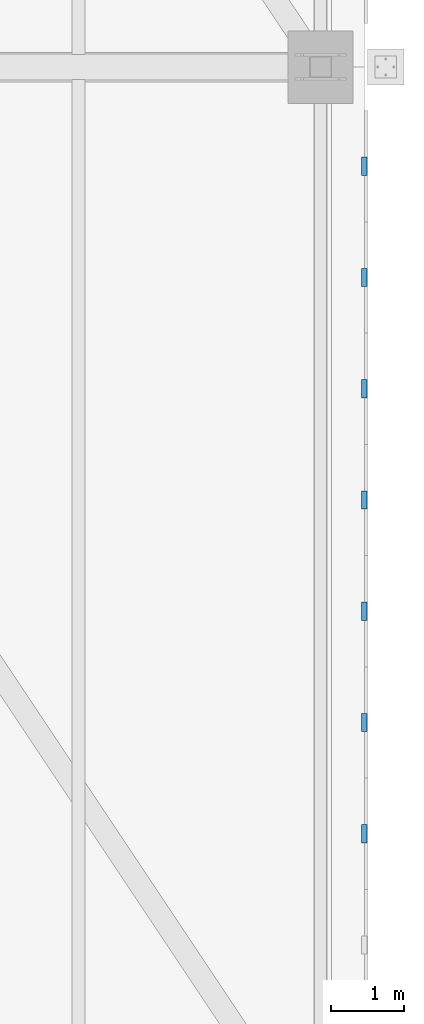
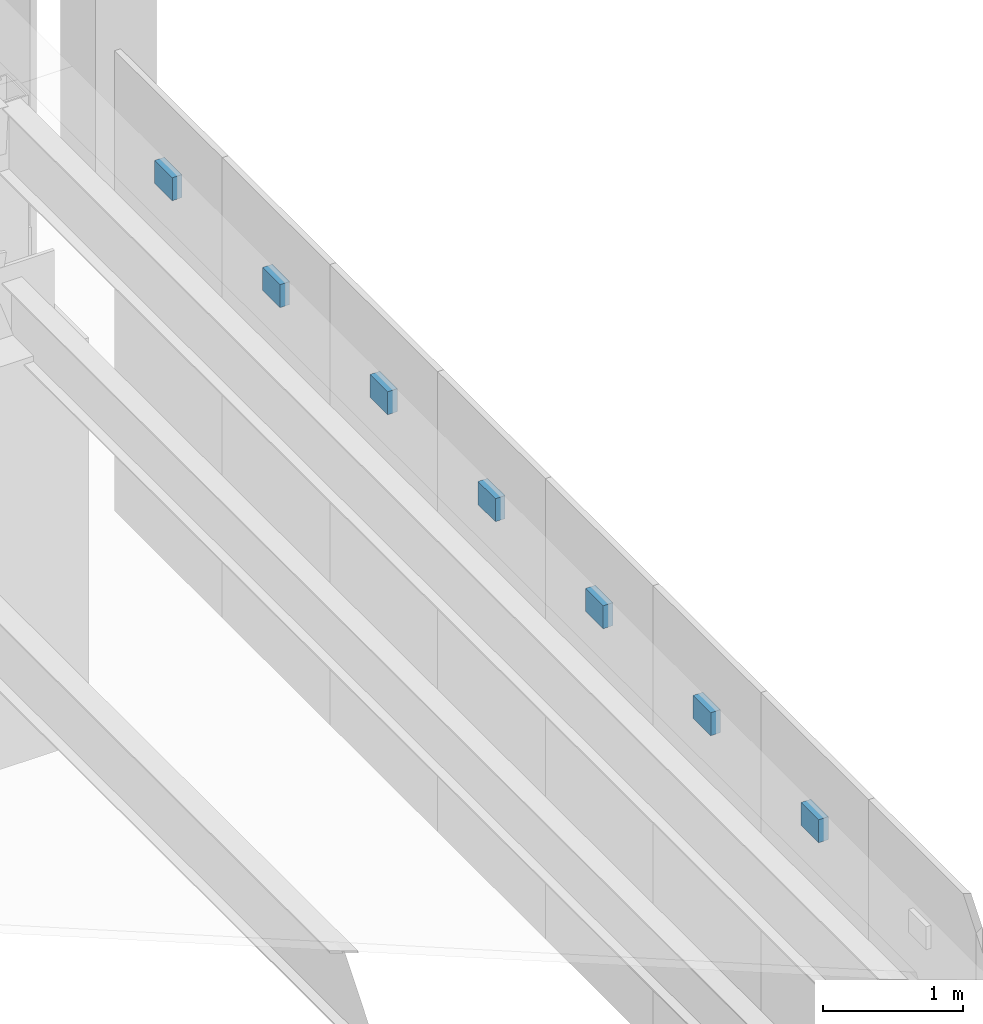
# One storey, part 206 of 278: 7 discrete accessories.
"""IFC4 building model written with IfcOpenShell, lengths in metres."""

from ifc_helpers import new_model, si_unit, direction, frame, origin, origin_2d, place, context, subcontext, project, spatial, rectangle, extrude, material, layer, layer_set, type_object, element, save


model = new_model("IFC4")

# Units and contexts
model_context = context("Model", 3, precision=1e-05, world=origin(), true_north=direction((0.0, 1.0)))
body_context = subcontext(model_context, "Body", "Model", "MODEL_VIEW")
ifc_project = project(units=[si_unit("LENGTHUNIT", "METRE"), si_unit("AREAUNIT", "SQUARE_METRE"), si_unit("VOLUMEUNIT", "CUBIC_METRE"), si_unit("PLANEANGLEUNIT", "RADIAN"), si_unit("MASSUNIT", "GRAM", prefix="KILO")], contexts=[model_context])

# Site, building, storey
site_placement = place(None, origin())
site = spatial("IfcSite", under=ifc_project, at=site_placement, CompositionType="ELEMENT")
building_placement = place(site_placement, origin())
building = spatial("IfcBuilding", under=site, at=building_placement, Name="Ogive Plaza Stadium", CompositionType="ELEMENT")
storey_placement = place(building_placement, frame((0.0, 0.0, 29.0)))
storey = spatial("IfcBuildingStorey", under=building, at=storey_placement, Name="Roof", CompositionType="ELEMENT", Elevation=29.0)

# Discrete accessories
ifc_material = material(Name="Steel ASTM A572 Grade 50", Category="steel")
ifc_layer = layer(ifc_material, 0.080078125)
ifc_layer_set = layer_set([ifc_layer], Name="Steel ASTM A572 Grade 50")
discrete_accessory_type = type_object("IfcDiscreteAccessoryType", Name="Tracery screen bracket 250x200", PredefinedType="BRACKET", material=ifc_layer_set)
for number, where, z_axis, x_axis, name in (
    (1, (84.602294921875, 21.13330078125, 5.25), (0.0, 0.0, 1.0), (0.0, -1.0, 0.0), "TRACERY SCREEN BRACKET B03 1"),
    (2, (84.602294921875, 19.60009765625, 5.25), (0.0, 0.0, 1.0), (0.0, -1.0, 0.0), "TRACERY SCREEN BRACKET B03 2"),
    (3, (84.602294921875, 18.066650390625, 5.25), (0.0, 0.0, 1.0), (0.0, -1.0, 0.0), "TRACERY SCREEN BRACKET B03 3"),
    (4, (84.602294921875, 16.533203125, 5.25), (0.0, 0.0, 1.0), (0.0, -1.0, 0.0), "TRACERY SCREEN BRACKET B03 4"),
    (5, (84.602294921875, 15.0, 5.25), (0.0, 0.0, 1.0), (0.0, -1.0, 0.0), "TRACERY SCREEN BRACKET B03 5"),
    (6, (84.602294921875, 13.466796875, 5.25), (0.0, 0.0, 1.0), (0.0, -1.0, 0.0), "TRACERY SCREEN BRACKET B03 6"),
    (7, (84.602294921875, 11.933349609375, 5.25), (0.0, 0.0, 1.0), (0.0, -1.0, 0.0), "TRACERY SCREEN BRACKET B03 7"),
):
    element("IfcDiscreteAccessory", number, at=place(storey_placement, frame(where, z_axis=z_axis, x_axis=x_axis)), inside=storey, type_object=discrete_accessory_type, Name=name, PredefinedType="BRACKET", context=body_context, shape_type="SweptSolid", body=[
        extrude(rectangle(XDim=0.25, YDim=0.080078125, at=origin_2d()), origin(), (0.0, 0.0, 1.0), 0.199951171875),
    ])

save(model, "model.ifc")
